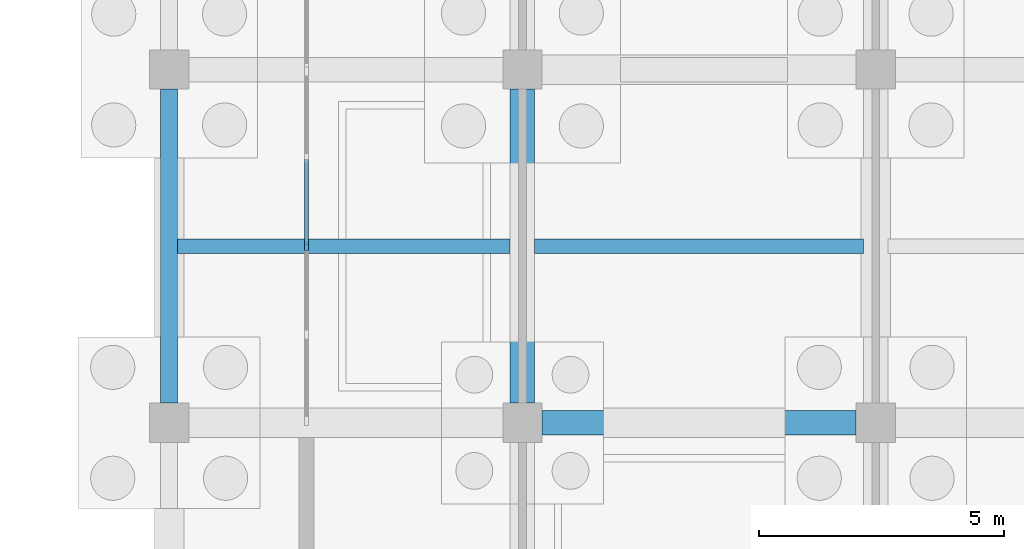
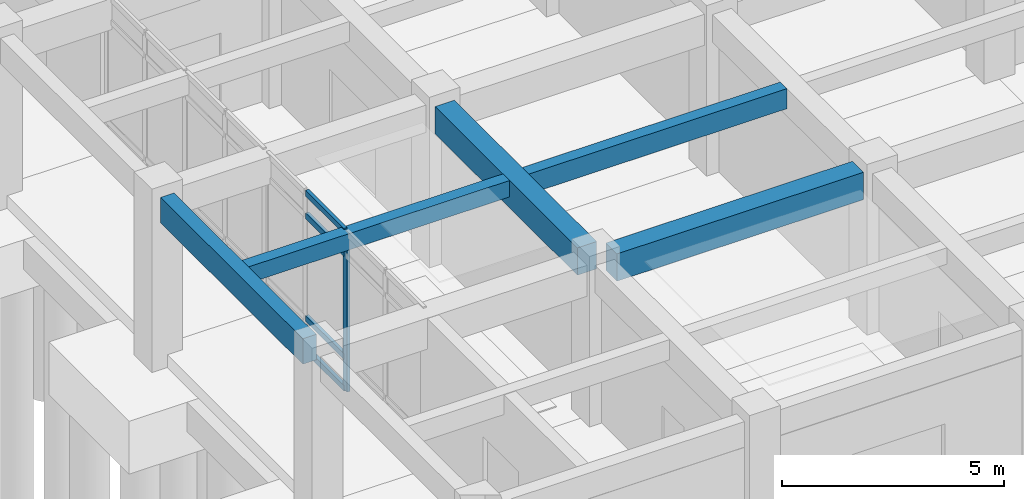
# One storey, part 26 of 79: 5 beams, 5 members, 1 element without a shape of its own.
"""IFC4 building model written with IfcOpenShell, lengths in metres."""

from ifc_helpers import new_model, si_unit, direction, frame, origin, origin_2d, place, context, subcontext, project, spatial, rectangle, extrude, material, layer, layer_set, material_profile, profile_set, type_object, element, aggregate, save


model = new_model("IFC4")

# Units and contexts
model_context = context("Model", 3, precision=1e-05, world=origin(), true_north=direction((0.0, 1.0)))
body_context = subcontext(model_context, "Body", "Model", "MODEL_VIEW")
ifc_project = project(units=[si_unit("LENGTHUNIT", "METRE"), si_unit("AREAUNIT", "SQUARE_METRE"), si_unit("VOLUMEUNIT", "CUBIC_METRE"), si_unit("PLANEANGLEUNIT", "RADIAN"), si_unit("MASSUNIT", "GRAM", prefix="KILO")], contexts=[model_context])

# Site, building, storey
site_placement = place(None, origin())
site = spatial("IfcSite", under=ifc_project, at=site_placement, CompositionType="ELEMENT")
building_placement = place(site_placement, origin())
building = spatial("IfcBuilding", under=site, at=building_placement, Name="Kavelor Marine Aquarium", CompositionType="ELEMENT")
storey_placement = place(building_placement, origin())
storey = spatial("IfcBuildingStorey", under=building, at=storey_placement, Name="L00", CompositionType="ELEMENT", Elevation=0.0)

# Beams
ifc_material_1 = material(Name="Concrete C40/50", Category="concrete")
ifc_material_profile_1 = material_profile(ifc_material_1, rectangle(XDim=0.5, YDim=0.75, at=origin_2d()), Name="RC-BM 500x750")
ifc_profile_set_1 = profile_set([ifc_material_profile_1], Name="Concrete C40/50")
beam_type_1 = type_object("IfcBeamType", Name="BM-B2", PredefinedType="BEAM", material=ifc_profile_set_1)
for number, where, z_axis, x_axis, name in (
    (1, (126.0, 60.39990234375, 4.0048828125), (1.0, 0.0, 0.0), (0.0, 1.0, 0.0), "bm:x:L00:L01:17_08"),
    (2, (125.60009765625, 60.800048828125, 4.0048828125), (0.0, 1.0, 0.0), (-1.0, 0.0, 0.0), "bm:y:L00:L01:17_08"),
):
    element("IfcBeam", number, at=place(storey_placement, frame(where, z_axis=z_axis, x_axis=x_axis)), inside=storey, type_object=beam_type_1, Name=name, PredefinedType="BEAM", context=body_context, shape_type="SweptSolid", body=[
        extrude(rectangle(XDim=0.5, YDim=0.75, at=origin_2d()), origin(), (0.0, 0.0, 1.0), 6.39990234375),
    ])
ifc_material_2 = material(Name="Concrete C40/50", Category="concrete")
ifc_material_profile_2 = material_profile(ifc_material_2, rectangle(XDim=0.300048828125, YDim=0.449951171875, at=origin_2d()), Name="RC-JS 300x450")
ifc_profile_set_2 = profile_set([ifc_material_profile_2], Name="Concrete C40/50")
beam_type_2 = type_object("IfcBeamType", Name="BM-JS1", PredefinedType="JOIST", material=ifc_profile_set_2)
beam_1_placement = place(storey_placement, frame((118.574951171875, 64.0, 4.155029296875), z_axis=(1.0, 0.0, 0.0), x_axis=(0.0, 1.0, 0.0)))
element("IfcBeam", 3, at=beam_1_placement, inside=storey, type_object=beam_type_2, Name="js:L00:L01:16_08", PredefinedType="JOIST", context=body_context, shape_type="SweptSolid", body=[
    extrude(rectangle(XDim=0.300048828125, YDim=0.449951171875, at=origin_2d()), origin(), (0.0, 0.0, 1.0), 6.775146484375),
])
ifc_material_3 = material(Name="Concrete C40/50", Category="concrete")
ifc_material_profile_3 = material_profile(ifc_material_3, rectangle(XDim=0.300048828125, YDim=0.550048828125, at=origin_2d()), Name="RC-JS 300x550")
ifc_profile_set_3 = profile_set([ifc_material_profile_3], Name="Concrete C40/50")
beam_type_3 = type_object("IfcBeamType", Name="BM-JS2", PredefinedType="JOIST", material=ifc_profile_set_3)
beam_2_placement = place(storey_placement, frame((125.85009765625, 64.0, 4.10498046875), z_axis=(1.0, 0.0, 0.0), x_axis=(0.0, 1.0, 0.0)))
element("IfcBeam", 4, at=beam_2_placement, inside=storey, type_object=beam_type_3, Name="js:L00:L01:17_08", PredefinedType="JOIST", context=body_context, shape_type="SweptSolid", body=[
    extrude(rectangle(XDim=0.300048828125, YDim=0.550048828125, at=origin_2d()), origin(), (0.0, 0.0, 1.0), 6.699951171875),
])
ifc_material_4 = material(Name="Concrete C40/50", Category="concrete")
ifc_material_profile_4 = material_profile(ifc_material_4, rectangle(XDim=0.35009765625, YDim=0.699951171875, at=origin_2d()), Name="RC-SP 350x700")
ifc_profile_set_4 = profile_set([ifc_material_profile_4], Name="Concrete C40/50")
beam_type_4 = type_object("IfcBeamType", Name="BM-SP1", PredefinedType="SPANDREL", material=ifc_profile_set_4)
beam_3_placement = place(storey_placement, frame((118.39990234375, 60.800048828125, 4.030029296875), z_axis=(0.0, 1.0, 0.0), x_axis=(-1.0, 0.0, 0.0)))
element("IfcBeam", 5, at=beam_3_placement, inside=storey, type_object=beam_type_4, Name="bm:y:L00:L01:16_08", PredefinedType="SPANDREL", context=body_context, shape_type="SweptSolid", body=[
    extrude(rectangle(XDim=0.35009765625, YDim=0.699951171875, at=origin_2d()), origin(), (0.0, 0.0, 1.0), 6.39990234375),
])

# Curtain wall, members
ifc_material_5 = material(Name="Thermally Broken Aluminium and Low-E Glass", Category="aluminium")
ifc_layer = layer(ifc_material_5, 0.26806640625)
ifc_layer_set = layer_set([ifc_layer], Name="CW-SYS16")
curtain_wall_type = type_object("IfcCurtainWallType", Name="CW-SYS16", PredefinedType="USERDEFINED", material=ifc_layer_set)
curtain_wall_placement = place(storey_placement, origin())
curtain_wall = element("IfcCurtainWall", 6, at=curtain_wall_placement, inside=storey, type_object=curtain_wall_type, Name="cw:arc:v6w:08", ObjectType="Curtain Wall", PredefinedType="USERDEFINED")
ifc_material_6 = material(Name="Anodised Aluminium Alloy 6063-T6", Category="aluminium")
ifc_material_profile_5 = material_profile(ifc_material_6, rectangle(XDim=0.074951171875, YDim=0.179931640625, at=origin_2d()), Name="CW-MUL 75x180")
ifc_profile_set_5 = profile_set([ifc_material_profile_5], Name="Anodised Aluminium Alloy 6063-T6")
member_type_1 = type_object("IfcMemberType", Name="CWM-1", PredefinedType="MULLION", material=ifc_profile_set_5)
member_1_placement = place(storey_placement, frame((121.199951171875, 64.0, 0.0), z_axis=(0.0, 0.0, 1.0), x_axis=(1.0, 0.0, 0.0)))
member_1 = element("IfcMember", 7, at=member_1_placement, type_object=member_type_1, Name="CW16 mullion 3", PredefinedType="MULLION", context=body_context, shape_type="SweptSolid", body=[
    extrude(rectangle(XDim=0.074951171875, YDim=0.179931640625, at=origin_2d()), origin(), (0.0, 0.0, 1.0), 4.3701171875),
])
ifc_material_7 = material(Name="Anodised Aluminium Alloy 6063-T6", Category="aluminium")
ifc_material_profile_6 = material_profile(ifc_material_7, rectangle(XDim=0.0849609375, YDim=0.159912109375, at=origin_2d()), Name="CW-TRN 85x160")
ifc_profile_set_6 = profile_set([ifc_material_profile_6], Name="Anodised Aluminium Alloy 6063-T6")
member_type_2 = type_object("IfcMemberType", Name="CWT-3", PredefinedType="USERDEFINED", material=ifc_profile_set_6)
member_2_placement = place(storey_placement, frame((121.199951171875, 65.762451171875, 0.030029296875), z_axis=(0.0, -1.0, 0.0), x_axis=(1.0, 0.0, 0.0)))
member_2 = element("IfcMember", 8, at=member_2_placement, type_object=member_type_2, Name="CW16 transom 2.1", ObjectType="TRANSOM", PredefinedType="USERDEFINED", context=body_context, shape_type="SweptSolid", body=[
    extrude(rectangle(XDim=0.0849609375, YDim=0.159912109375, at=origin_2d()), origin(), (0.0, 0.0, 1.0), 1.724853515625),
])
member_3_placement = place(storey_placement, frame((121.199951171875, 65.762451171875, 0.89990234375), z_axis=(0.0, -1.0, 0.0), x_axis=(1.0, 0.0, 0.0)))
member_3 = element("IfcMember", 9, at=member_3_placement, type_object=member_type_2, Name="CW16 transom 2.2", ObjectType="TRANSOM", PredefinedType="USERDEFINED", context=body_context, shape_type="SweptSolid", body=[
    extrude(rectangle(XDim=0.0849609375, YDim=0.159912109375, at=origin_2d()), origin(), (0.0, 0.0, 1.0), 1.724853515625),
])
member_4_placement = place(storey_placement, frame((121.199951171875, 65.762451171875, 3.719970703125), z_axis=(0.0, -1.0, 0.0), x_axis=(1.0, 0.0, 0.0)))
member_4 = element("IfcMember", 10, at=member_4_placement, type_object=member_type_2, Name="CW16 transom 2.3", ObjectType="TRANSOM", PredefinedType="USERDEFINED", context=body_context, shape_type="SweptSolid", body=[
    extrude(rectangle(XDim=0.0849609375, YDim=0.159912109375, at=origin_2d()), origin(), (0.0, 0.0, 1.0), 1.724853515625),
])
member_5_placement = place(storey_placement, frame((121.199951171875, 65.762451171875, 4.340087890625), z_axis=(0.0, -1.0, 0.0), x_axis=(1.0, 0.0, 0.0)))
member_5 = element("IfcMember", 11, at=member_5_placement, type_object=member_type_2, Name="CW16 transom 2.4", ObjectType="TRANSOM", PredefinedType="USERDEFINED", context=body_context, shape_type="SweptSolid", body=[
    extrude(rectangle(XDim=0.0849609375, YDim=0.159912109375, at=origin_2d()), origin(), (0.0, 0.0, 1.0), 1.724853515625),
])
aggregate(curtain_wall, [member_1, member_2, member_3, member_4, member_5])

save(model, "model.ifc")
